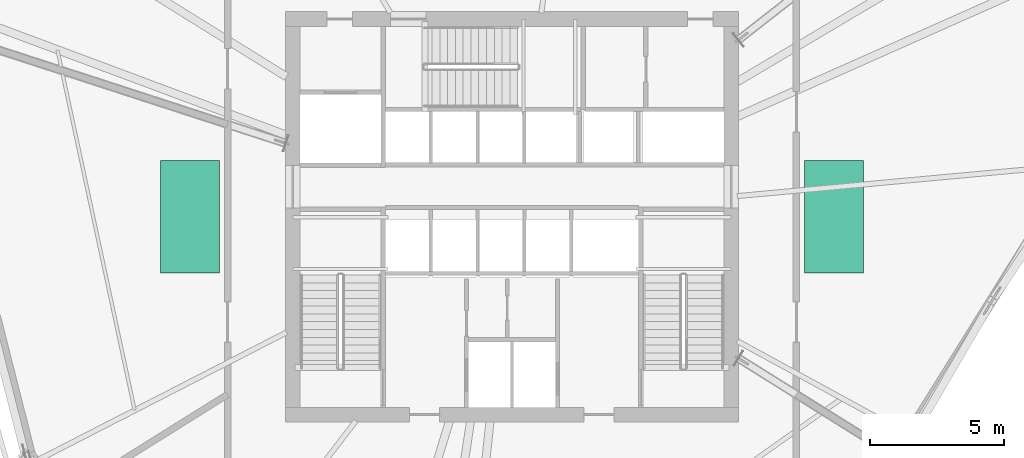
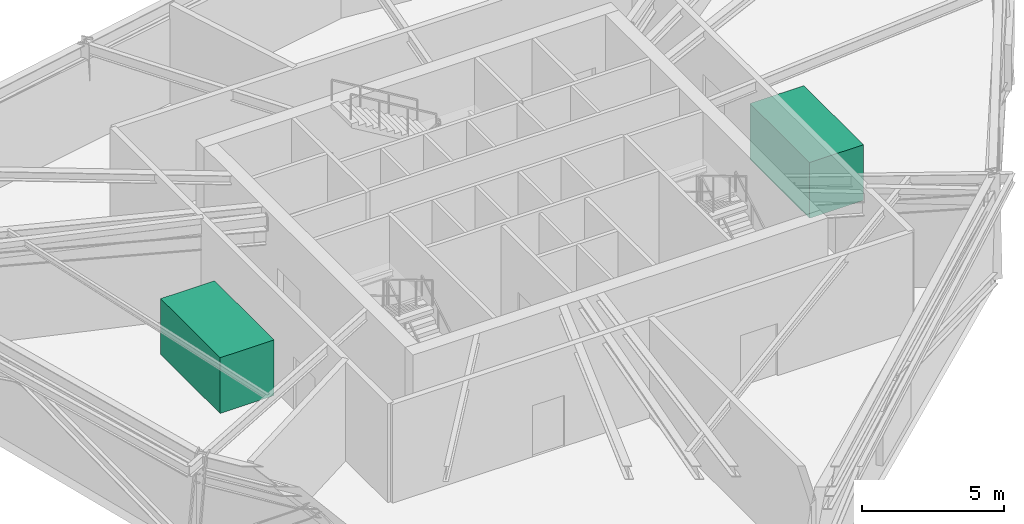
# One storey, part 14 of 14: 2 unitary equipment elements.
"""IFC4 building model written with IfcOpenShell, lengths in metres."""

from ifc_helpers import new_model, si_unit, direction, frame, origin, origin_2d, place, context, subcontext, project, spatial, rectangle, extrude, source, transform, mapped, material, type_object, element, save


model = new_model("IFC4")

# Units and contexts
model_context = context("Model", 3, precision=1e-05, world=origin(), true_north=direction((0.0, 1.0)))
body_context = subcontext(model_context, "Body", "Model", "MODEL_VIEW")
ifc_project = project(units=[si_unit("LENGTHUNIT", "METRE"), si_unit("AREAUNIT", "SQUARE_METRE"), si_unit("VOLUMEUNIT", "CUBIC_METRE"), si_unit("PLANEANGLEUNIT", "RADIAN"), si_unit("MASSUNIT", "GRAM", prefix="KILO")], contexts=[model_context])

# Site, building, storey
site_placement = place(None, origin())
site = spatial("IfcSite", under=ifc_project, at=site_placement, CompositionType="ELEMENT")
building_placement = place(site_placement, origin())
building = spatial("IfcBuilding", under=site, at=building_placement, Name="Olszyna Solenne Hotel", CompositionType="ELEMENT")
storey_placement = place(building_placement, frame((0.0, 0.0, 142.10009765625)))
storey = spatial("IfcBuildingStorey", under=building, at=storey_placement, Name="L37", CompositionType="ELEMENT", Elevation=142.10009765625)

# Unitary equipment
ifc_material = material(Name="Steel S355J2", Category="steel")
unitary_equipment_type = type_object("IfcUnitaryEquipmentType", Name="EQ-CH1", PredefinedType="AIRHANDLER", material=ifc_material)
shared_shape = source(origin(), body_context, "Body", "SweptSolid", [
    extrude(rectangle(XDim=4.199951171875, YDim=2.199951171875, at=origin_2d()), origin(), (0.0, 0.0, 1.0), 2.39990234375),
])
for number, where, z_axis, x_axis, name in (
    (1, (26.0, 26.60009765625, 0.0), (0.0, 0.0, 1.0), (0.0, 1.0, 0.0), "Mechanical heat-recovery AHU skid AHU-L37-1"),
    (2, (50.0, 26.60009765625, 0.0), (0.0, 0.0, 1.0), (0.0, 1.0, 0.0), "Mechanical heat-recovery AHU skid AHU-L37-2"),
):
    element("IfcUnitaryEquipment", number, at=place(storey_placement, frame(where, z_axis=z_axis, x_axis=x_axis)), inside=storey, type_object=unitary_equipment_type, Name=name, PredefinedType="AIRHANDLER", context=body_context, shape_type="MappedRepresentation", body=[
        mapped(shared_shape, transform((0.0, 0.0, 0.0), x_axis=(1.0, 0.0, 0.0), y_axis=(0.0, 1.0, 0.0), z_axis=(0.0, 0.0, 1.0), scale=1.0)),
    ])

save(model, "model.ifc")
